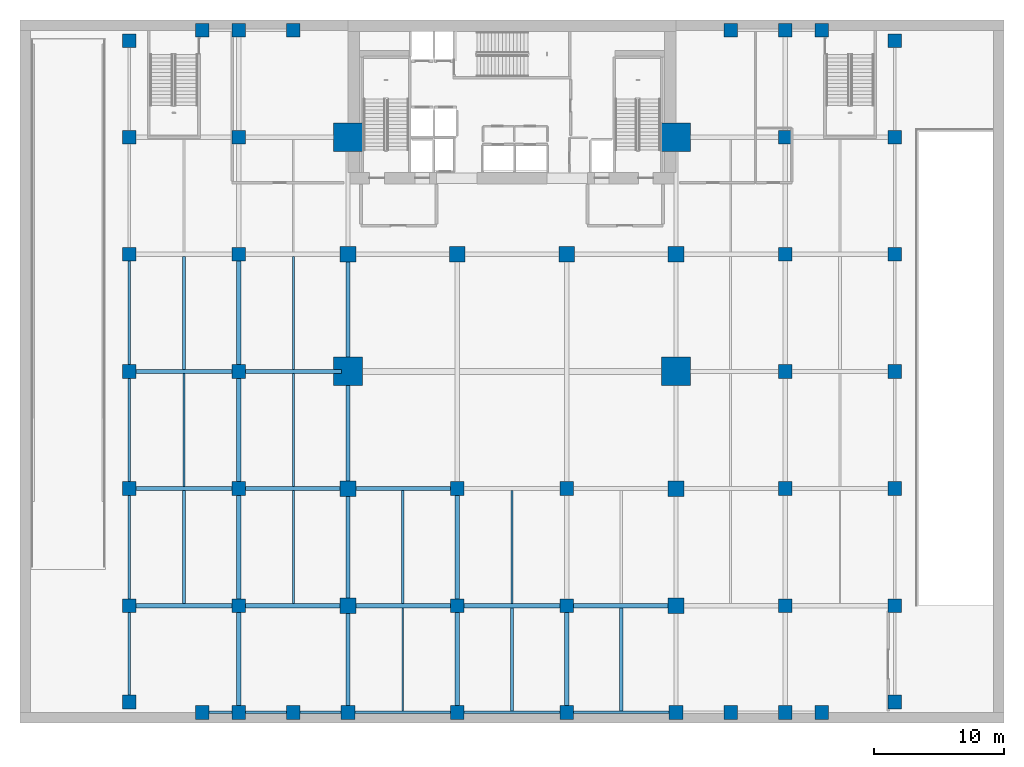
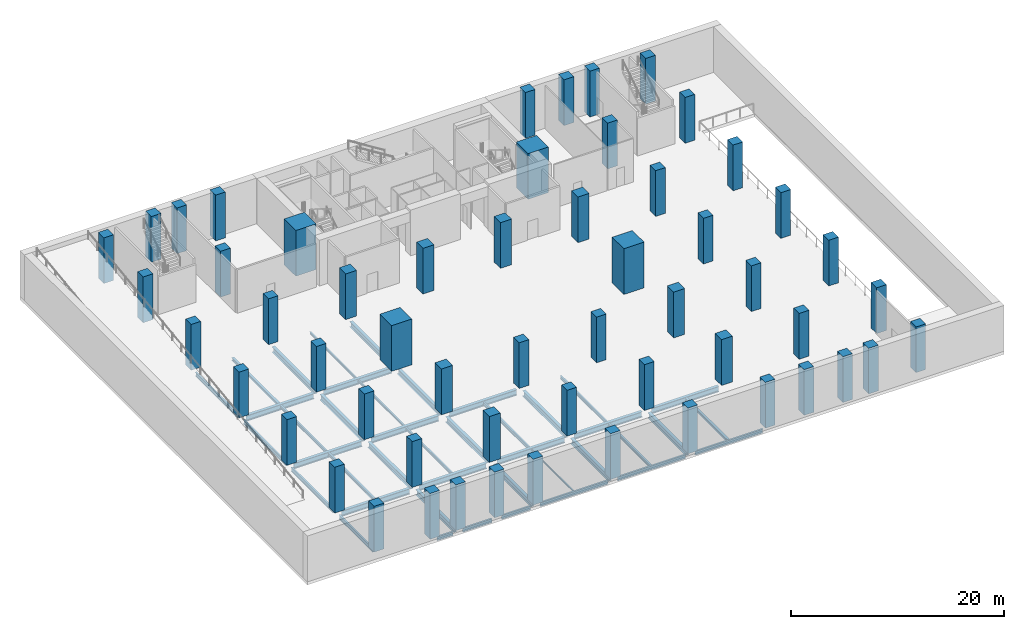
# One storey, part 1 of 10: 56 columns, 42 beams.
"""IFC4 building model written with IfcOpenShell, lengths in metres."""

from ifc_helpers import new_model, si_unit, direction, frame, origin, origin_2d, place, context, subcontext, project, spatial, rectangle, i_section, extrude, material, material_profile, profile_set, type_object, element, save


model = new_model("IFC4")

# Units and contexts
model_context = context("Model", 3, precision=1e-05, world=origin(), true_north=direction((0.0, 1.0)))
body_context = subcontext(model_context, "Body", "Model", "MODEL_VIEW")
ifc_project = project(units=[si_unit("LENGTHUNIT", "METRE"), si_unit("AREAUNIT", "SQUARE_METRE"), si_unit("VOLUMEUNIT", "CUBIC_METRE"), si_unit("PLANEANGLEUNIT", "RADIAN"), si_unit("MASSUNIT", "GRAM", prefix="KILO")], contexts=[model_context])

# Site, building, storey
site_placement = place(None, origin())
site = spatial("IfcSite", under=ifc_project, at=site_placement, CompositionType="ELEMENT")
building_placement = place(site_placement, origin())
building = spatial("IfcBuilding", under=site, at=building_placement, Name="Maruvema Waterfront Hotel and Observation Tower", CompositionType="ELEMENT")
storey_placement = place(building_placement, frame((0.0, 0.0, -5.25)))
storey = spatial("IfcBuildingStorey", under=building, at=storey_placement, Name="B01", CompositionType="ELEMENT", Elevation=-5.25)

# Columns
ifc_material_1 = material(Name="Concrete C80/95", Category="concrete")
ifc_material_profile_1 = material_profile(ifc_material_1, rectangle(XDim=2.199951171875, YDim=2.199951171875, at=origin_2d()), Name="MC2200x2200")
ifc_profile_set_1 = profile_set([ifc_material_profile_1], Name="Concrete C80/95")
column_type_1 = type_object("IfcColumnType", Name="Continuous Mega-Column MC2200x2200", PredefinedType="COLUMN", material=ifc_profile_set_1)
for number, where, z_axis, x_axis, name in (
    (1, (25.199951171875, 27.0, 0.0), (0.0, 0.0, 1.0), (1.0, 0.0, 0.0), "B01 Continuous Mega-Column MC-01"),
    (2, (50.39990234375, 27.0, 0.0), (0.0, 0.0, 1.0), (1.0, 0.0, 0.0), "B01 Continuous Mega-Column MC-02"),
    (3, (25.199951171875, 45.0, 0.0), (0.0, 0.0, 1.0), (1.0, 0.0, 0.0), "B01 Continuous Mega-Column MC-03"),
    (4, (50.39990234375, 45.0, 0.0), (0.0, 0.0, 1.0), (1.0, 0.0, 0.0), "B01 Continuous Mega-Column MC-04"),
):
    element("IfcColumn", number, at=place(storey_placement, frame(where, z_axis=z_axis, x_axis=x_axis)), inside=storey, type_object=column_type_1, Name=name, PredefinedType="COLUMN", context=body_context, shape_type="SweptSolid", body=[
        extrude(rectangle(XDim=2.199951171875, YDim=2.199951171875, at=origin_2d()), origin(), (0.0, 0.0, 1.0), 5.25),
    ])
ifc_material_2 = material(Name="Concrete C60/75", Category="concrete")
ifc_material_profile_2 = material_profile(ifc_material_2, rectangle(XDim=1.050048828125, YDim=1.050048828125, at=origin_2d()), Name="RC1050x1050")
ifc_profile_set_2 = profile_set([ifc_material_profile_2], Name="Concrete C60/75")
column_type_2 = type_object("IfcColumnType", Name="Reinforced Concrete Column RC1050x1050", PredefinedType="COLUMN", material=ifc_profile_set_2)
for number, where, z_axis, x_axis, name in (
    (5, (33.60009765625, 9.0, 0.0), (0.0, 0.0, 1.0), (1.0, 0.0, 0.0), "B01 Column C-5B"),
    (6, (42.0, 9.0, 0.0), (0.0, 0.0, 1.0), (1.0, 0.0, 0.0), "B01 Column C-6B"),
    (7, (33.60009765625, 18.0, 0.0), (0.0, 0.0, 1.0), (1.0, 0.0, 0.0), "B01 Column C-5C"),
    (8, (42.0, 18.0, 0.0), (0.0, 0.0, 1.0), (1.0, 0.0, 0.0), "B01 Column C-6C"),
    (9, (16.800048828125, 9.0, 0.0), (0.0, 0.0, 1.0), (1.0, 0.0, 0.0), "B01 Column C-3Y9"),
    (10, (58.800048828125, 9.0, 0.0), (0.0, 0.0, 1.0), (1.0, 0.0, 0.0), "B01 Column C-8Y9"),
    (11, (16.800048828125, 18.0, 0.0), (0.0, 0.0, 1.0), (1.0, 0.0, 0.0), "B01 Column C-3Y18"),
    (12, (58.800048828125, 18.0, 0.0), (0.0, 0.0, 1.0), (1.0, 0.0, 0.0), "B01 Column C-8Y18"),
    (13, (16.800048828125, 27.0, 0.0), (0.0, 0.0, 1.0), (1.0, 0.0, 0.0), "B01 Column C-3Y27"),
    (14, (58.800048828125, 27.0, 0.0), (0.0, 0.0, 1.0), (1.0, 0.0, 0.0), "B01 Column C-8Y27"),
    (15, (16.800048828125, 36.0, 0.0), (0.0, 0.0, 1.0), (1.0, 0.0, 0.0), "B01 Column C-3Y36"),
    (16, (58.800048828125, 36.0, 0.0), (0.0, 0.0, 1.0), (1.0, 0.0, 0.0), "B01 Column C-8Y36"),
    (17, (16.800048828125, 45.0, 0.0), (0.0, 0.0, 1.0), (1.0, 0.0, 0.0), "B01 Column C-3Y45"),
    (18, (58.800048828125, 45.0, 0.0), (0.0, 0.0, 1.0), (1.0, 0.0, 0.0), "B01 Column C-8Y45"),
    (19, (8.39990234375, 1.60009765625, 0.0), (0.0, 0.0, 1.0), (1.0, 0.0, 0.0), "B01 Column C-2A"),
    (20, (67.199951171875, 1.60009765625, 0.0), (0.0, 0.0, 1.0), (1.0, 0.0, 0.0), "B01 Column C-9A"),
    (21, (8.39990234375, 9.0, 0.0), (0.0, 0.0, 1.0), (1.0, 0.0, 0.0), "B01 Column C-2B"),
    (22, (67.199951171875, 9.0, 0.0), (0.0, 0.0, 1.0), (1.0, 0.0, 0.0), "B01 Column C-9B"),
    (23, (8.39990234375, 18.0, 0.0), (0.0, 0.0, 1.0), (1.0, 0.0, 0.0), "B01 Column C-2C"),
    (24, (67.199951171875, 18.0, 0.0), (0.0, 0.0, 1.0), (1.0, 0.0, 0.0), "B01 Column C-9C"),
    (25, (8.39990234375, 27.0, 0.0), (0.0, 0.0, 1.0), (1.0, 0.0, 0.0), "B01 Column C-2D"),
    (26, (67.199951171875, 27.0, 0.0), (0.0, 0.0, 1.0), (1.0, 0.0, 0.0), "B01 Column C-9D"),
    (27, (8.39990234375, 36.0, 0.0), (0.0, 0.0, 1.0), (1.0, 0.0, 0.0), "B01 Column C-2E"),
    (28, (67.199951171875, 36.0, 0.0), (0.0, 0.0, 1.0), (1.0, 0.0, 0.0), "B01 Column C-9E"),
    (29, (8.39990234375, 45.0, 0.0), (0.0, 0.0, 1.0), (1.0, 0.0, 0.0), "B01 Column C-2F"),
    (30, (67.199951171875, 45.0, 0.0), (0.0, 0.0, 1.0), (1.0, 0.0, 0.0), "B01 Column C-9F"),
    (31, (8.39990234375, 52.39990234375, 0.0), (0.0, 0.0, 1.0), (1.0, 0.0, 0.0), "B01 Column C-2G"),
    (32, (67.199951171875, 52.39990234375, 0.0), (0.0, 0.0, 1.0), (1.0, 0.0, 0.0), "B01 Column C-9G"),
    (33, (16.800048828125, 0.800048828125, 0.0), (0.0, 0.0, 1.0), (1.0, 0.0, 0.0), "B01 Column C-3A"),
    (34, (25.199951171875, 0.800048828125, 0.0), (0.0, 0.0, 1.0), (1.0, 0.0, 0.0), "B01 Column C-4A"),
    (35, (33.60009765625, 0.800048828125, 0.0), (0.0, 0.0, 1.0), (1.0, 0.0, 0.0), "B01 Column C-5A"),
    (36, (42.0, 0.800048828125, 0.0), (0.0, 0.0, 1.0), (1.0, 0.0, 0.0), "B01 Column C-6A"),
    (37, (50.39990234375, 0.800048828125, 0.0), (0.0, 0.0, 1.0), (1.0, 0.0, 0.0), "B01 Column C-7A"),
    (38, (58.800048828125, 0.800048828125, 0.0), (0.0, 0.0, 1.0), (1.0, 0.0, 0.0), "B01 Column C-8A"),
    (39, (16.800048828125, 53.199951171875, 0.0), (0.0, 0.0, 1.0), (1.0, 0.0, 0.0), "B01 Column C-3G"),
    (40, (58.800048828125, 53.199951171875, 0.0), (0.0, 0.0, 1.0), (1.0, 0.0, 0.0), "B01 Column C-8G"),
    (41, (14.0, 0.800048828125, 0.0), (0.0, 0.0, 1.0), (1.0, 0.0, 0.0), "B01 Column PL-S1"),
    (42, (14.0, 53.199951171875, 0.0), (0.0, 0.0, 1.0), (1.0, 0.0, 0.0), "B01 Column PL-N1"),
    (43, (21.0, 0.800048828125, 0.0), (0.0, 0.0, 1.0), (1.0, 0.0, 0.0), "B01 Column PL-S2"),
    (44, (21.0, 53.199951171875, 0.0), (0.0, 0.0, 1.0), (1.0, 0.0, 0.0), "B01 Column PL-N2"),
    (45, (54.60009765625, 0.800048828125, 0.0), (0.0, 0.0, 1.0), (1.0, 0.0, 0.0), "B01 Column PL-S3"),
    (46, (54.60009765625, 53.199951171875, 0.0), (0.0, 0.0, 1.0), (1.0, 0.0, 0.0), "B01 Column PL-N3"),
    (47, (61.60009765625, 0.800048828125, 0.0), (0.0, 0.0, 1.0), (1.0, 0.0, 0.0), "B01 Column PL-S4"),
    (48, (61.60009765625, 53.199951171875, 0.0), (0.0, 0.0, 1.0), (1.0, 0.0, 0.0), "B01 Column PL-N4"),
):
    element("IfcColumn", number, at=place(storey_placement, frame(where, z_axis=z_axis, x_axis=x_axis)), inside=storey, type_object=column_type_2, Name=name, PredefinedType="COLUMN", context=body_context, shape_type="SweptSolid", body=[
        extrude(rectangle(XDim=1.050048828125, YDim=1.050048828125, at=origin_2d()), origin(), (0.0, 0.0, 1.0), 5.25),
    ])
ifc_material_3 = material(Name="Concrete C60/75", Category="concrete")
ifc_material_profile_3 = material_profile(ifc_material_3, rectangle(XDim=1.199951171875, YDim=1.199951171875, at=origin_2d()), Name="RC1200x1200")
ifc_profile_set_3 = profile_set([ifc_material_profile_3], Name="Concrete C60/75")
column_type_3 = type_object("IfcColumnType", Name="Reinforced Concrete Column RC1200x1200", PredefinedType="COLUMN", material=ifc_profile_set_3)
for number, where, z_axis, x_axis, name in (
    (49, (25.199951171875, 36.0, 0.0), (0.0, 0.0, 1.0), (1.0, 0.0, 0.0), "B01 Column C-4E"),
    (50, (33.60009765625, 36.0, 0.0), (0.0, 0.0, 1.0), (1.0, 0.0, 0.0), "B01 Column C-5E"),
    (51, (42.0, 36.0, 0.0), (0.0, 0.0, 1.0), (1.0, 0.0, 0.0), "B01 Column C-6E"),
    (52, (50.39990234375, 36.0, 0.0), (0.0, 0.0, 1.0), (1.0, 0.0, 0.0), "B01 Column C-7E"),
    (53, (25.199951171875, 18.0, 0.0), (0.0, 0.0, 1.0), (1.0, 0.0, 0.0), "B01 Column C-4C"),
    (54, (50.39990234375, 18.0, 0.0), (0.0, 0.0, 1.0), (1.0, 0.0, 0.0), "B01 Column C-7C"),
    (55, (25.199951171875, 9.0, 0.0), (0.0, 0.0, 1.0), (1.0, 0.0, 0.0), "B01 Column C-4B"),
    (56, (50.39990234375, 9.0, 0.0), (0.0, 0.0, 1.0), (1.0, 0.0, 0.0), "B01 Column C-7B"),
):
    element("IfcColumn", number, at=place(storey_placement, frame(where, z_axis=z_axis, x_axis=x_axis)), inside=storey, type_object=column_type_3, Name=name, PredefinedType="COLUMN", context=body_context, shape_type="SweptSolid", body=[
        extrude(rectangle(XDim=1.199951171875, YDim=1.199951171875, at=origin_2d()), origin(), (0.0, 0.0, 1.0), 5.25),
    ])

# Beams
ifc_material_4 = material(Name="Steel ASTM A572 Grade 50", Category="steel")
ifc_material_profile_4 = material_profile(ifc_material_4, i_section(OverallWidth=0.18994140625, OverallDepth=0.45703125, WebThickness=0.009033203125, FlangeThickness=0.014404296875, FilletRadius=0.014892578125, at=origin_2d()), Name="W460x74.0")
ifc_profile_set_4 = profile_set([ifc_material_profile_4], Name="Steel ASTM A572 Grade 50")
beam_type_1 = type_object("IfcBeamType", Name="Perimeter Spandrel Beam W460x74.0", PredefinedType="SPANDREL", material=ifc_profile_set_4)
beam_1_placement = place(storey_placement, frame((14.52490234375, 0.800048828125, -0.57861328125), z_axis=(1.0, 0.0, 0.0), x_axis=(0.0, 1.0, 0.0)))
element("IfcBeam", 57, at=beam_1_placement, inside=storey, type_object=beam_type_1, Name="B01 Floor Girder EW-01", PredefinedType="SPANDREL", context=body_context, shape_type="SweptSolid", body=[
    extrude(i_section(OverallWidth=0.18994140625, OverallDepth=0.45703125, WebThickness=0.009033203125, FlangeThickness=0.014404296875, FilletRadius=0.014892578125, at=origin_2d()), origin(), (0.0, 0.0, 1.0), 1.75),
])
for number, where, z_axis, x_axis, name in (
    (58, (17.324951171875, 0.800048828125, -0.57861328125), (1.0, 0.0, 0.0), (0.0, 1.0, 0.0), "B01 Floor Girder EW-02"),
    (59, (21.52490234375, 0.800048828125, -0.57861328125), (1.0, 0.0, 0.0), (0.0, 1.0, 0.0), "B01 Floor Girder EW-03"),
):
    element("IfcBeam", number, at=place(storey_placement, frame(where, z_axis=z_axis, x_axis=x_axis)), inside=storey, type_object=beam_type_1, Name=name, PredefinedType="SPANDREL", context=body_context, shape_type="SweptSolid", body=[
        extrude(i_section(OverallWidth=0.18994140625, OverallDepth=0.45703125, WebThickness=0.009033203125, FlangeThickness=0.014404296875, FilletRadius=0.014892578125, at=origin_2d()), origin(), (0.0, 0.0, 1.0), 3.150146484375),
    ])
beam_2_placement = place(storey_placement, frame((25.72509765625, 0.800048828125, -0.57861328125), z_axis=(1.0, 0.0, 0.0), x_axis=(0.0, 1.0, 0.0)))
element("IfcBeam", 60, at=beam_2_placement, inside=storey, type_object=beam_type_1, Name="B01 Floor Girder EW-04", PredefinedType="SPANDREL", context=body_context, shape_type="SweptSolid", body=[
    extrude(i_section(OverallWidth=0.18994140625, OverallDepth=0.45703125, WebThickness=0.009033203125, FlangeThickness=0.014404296875, FilletRadius=0.014892578125, at=origin_2d()), origin(), (0.0, 0.0, 1.0), 7.349853515625),
])
for number, where, z_axis, x_axis, name in (
    (61, (34.125, 0.800048828125, -0.57861328125), (1.0, 0.0, 0.0), (0.0, 1.0, 0.0), "B01 Floor Girder EW-05"),
    (62, (42.52490234375, 0.800048828125, -0.57861328125), (1.0, 0.0, 0.0), (0.0, 1.0, 0.0), "B01 Floor Girder EW-06"),
):
    element("IfcBeam", number, at=place(storey_placement, frame(where, z_axis=z_axis, x_axis=x_axis)), inside=storey, type_object=beam_type_1, Name=name, PredefinedType="SPANDREL", context=body_context, shape_type="SweptSolid", body=[
        extrude(i_section(OverallWidth=0.18994140625, OverallDepth=0.45703125, WebThickness=0.009033203125, FlangeThickness=0.014404296875, FilletRadius=0.014892578125, at=origin_2d()), origin(), (0.0, 0.0, 1.0), 7.35009765625),
    ])
beam_3_placement = place(storey_placement, frame((8.39990234375, 2.125, -0.57861328125), z_axis=(0.0, 1.0, 0.0), x_axis=(-1.0, 0.0, 0.0)))
element("IfcBeam", 63, at=beam_3_placement, inside=storey, type_object=beam_type_1, Name="B01 Floor Girder NS-01", PredefinedType="SPANDREL", context=body_context, shape_type="SweptSolid", body=[
    extrude(i_section(OverallWidth=0.18994140625, OverallDepth=0.45703125, WebThickness=0.009033203125, FlangeThickness=0.014404296875, FilletRadius=0.014892578125, at=origin_2d()), origin(), (0.0, 0.0, 1.0), 6.35009765625),
])
for number, where, z_axis, x_axis, name in (
    (64, (8.39990234375, 9.52490234375, -0.57861328125), (0.0, 1.0, 0.0), (-1.0, 0.0, 0.0), "B01 Floor Girder NS-02"),
    (65, (8.39990234375, 18.52490234375, -0.57861328125), (0.0, 1.0, 0.0), (-1.0, 0.0, 0.0), "B01 Floor Girder NS-03"),
    (66, (8.39990234375, 27.52490234375, -0.57861328125), (0.0, 1.0, 0.0), (-1.0, 0.0, 0.0), "B01 Floor Girder NS-04"),
):
    element("IfcBeam", number, at=place(storey_placement, frame(where, z_axis=z_axis, x_axis=x_axis)), inside=storey, type_object=beam_type_1, Name=name, PredefinedType="SPANDREL", context=body_context, shape_type="SweptSolid", body=[
        extrude(i_section(OverallWidth=0.18994140625, OverallDepth=0.45703125, WebThickness=0.009033203125, FlangeThickness=0.014404296875, FilletRadius=0.014892578125, at=origin_2d()), origin(), (0.0, 0.0, 1.0), 7.9501953125),
    ])
ifc_material_5 = material(Name="Steel ASTM A572 Grade 50", Category="steel")
ifc_material_profile_5 = material_profile(ifc_material_5, i_section(OverallWidth=0.3291015625, OverallDepth=0.635009765625, WebThickness=0.017822265625, FlangeThickness=0.031005859375, FilletRadius=0.01806640625, at=origin_2d()), Name="W610x241.0")
ifc_profile_set_5 = profile_set([ifc_material_profile_5], Name="Steel ASTM A572 Grade 50")
beam_type_2 = type_object("IfcBeamType", Name="Primary Floor Girder W610x241.0", PredefinedType="BEAM", material=ifc_profile_set_5)
beam_4_placement = place(storey_placement, frame((8.925048828125, 9.0, -0.66748046875), z_axis=(1.0, 0.0, 0.0), x_axis=(0.0, 1.0, 0.0)))
element("IfcBeam", 67, at=beam_4_placement, inside=storey, type_object=beam_type_2, Name="B01 Floor Girder EW-10", PredefinedType="BEAM", context=body_context, shape_type="SweptSolid", body=[
    extrude(i_section(OverallWidth=0.3291015625, OverallDepth=0.635009765625, WebThickness=0.017822265625, FlangeThickness=0.031005859375, FilletRadius=0.01806640625, at=origin_2d()), origin(), (0.0, 0.0, 1.0), 7.349853515625),
])
beam_5_placement = place(storey_placement, frame((17.324951171875, 9.0, -0.66748046875), z_axis=(1.0, 0.0, 0.0), x_axis=(0.0, 1.0, 0.0)))
element("IfcBeam", 68, at=beam_5_placement, inside=storey, type_object=beam_type_2, Name="B01 Floor Girder EW-11", PredefinedType="BEAM", context=body_context, shape_type="SweptSolid", body=[
    extrude(i_section(OverallWidth=0.3291015625, OverallDepth=0.635009765625, WebThickness=0.017822265625, FlangeThickness=0.031005859375, FilletRadius=0.01806640625, at=origin_2d()), origin(), (0.0, 0.0, 1.0), 7.275146484375),
])
beam_6_placement = place(storey_placement, frame((25.800048828125, 9.0, -0.66748046875), z_axis=(1.0, 0.0, 0.0), x_axis=(0.0, 1.0, 0.0)))
element("IfcBeam", 69, at=beam_6_placement, inside=storey, type_object=beam_type_2, Name="B01 Floor Girder EW-12", PredefinedType="BEAM", context=body_context, shape_type="SweptSolid", body=[
    extrude(i_section(OverallWidth=0.3291015625, OverallDepth=0.635009765625, WebThickness=0.017822265625, FlangeThickness=0.031005859375, FilletRadius=0.01806640625, at=origin_2d()), origin(), (0.0, 0.0, 1.0), 7.27490234375),
])
beam_7_placement = place(storey_placement, frame((34.125, 9.0, -0.66748046875), z_axis=(1.0, 0.0, 0.0), x_axis=(0.0, 1.0, 0.0)))
element("IfcBeam", 70, at=beam_7_placement, inside=storey, type_object=beam_type_2, Name="B01 Floor Girder EW-13", PredefinedType="BEAM", context=body_context, shape_type="SweptSolid", body=[
    extrude(i_section(OverallWidth=0.3291015625, OverallDepth=0.635009765625, WebThickness=0.017822265625, FlangeThickness=0.031005859375, FilletRadius=0.01806640625, at=origin_2d()), origin(), (0.0, 0.0, 1.0), 7.35009765625),
])
beam_8_placement = place(storey_placement, frame((42.52490234375, 9.0, -0.66748046875), z_axis=(1.0, 0.0, 0.0), x_axis=(0.0, 1.0, 0.0)))
element("IfcBeam", 71, at=beam_8_placement, inside=storey, type_object=beam_type_2, Name="B01 Floor Girder EW-14", PredefinedType="BEAM", context=body_context, shape_type="SweptSolid", body=[
    extrude(i_section(OverallWidth=0.3291015625, OverallDepth=0.635009765625, WebThickness=0.017822265625, FlangeThickness=0.031005859375, FilletRadius=0.01806640625, at=origin_2d()), origin(), (0.0, 0.0, 1.0), 7.275146484375),
])
beam_9_placement = place(storey_placement, frame((8.925048828125, 18.0, -0.66748046875), z_axis=(1.0, 0.0, 0.0), x_axis=(0.0, 1.0, 0.0)))
element("IfcBeam", 72, at=beam_9_placement, inside=storey, type_object=beam_type_2, Name="B01 Floor Girder EW-17", PredefinedType="BEAM", context=body_context, shape_type="SweptSolid", body=[
    extrude(i_section(OverallWidth=0.3291015625, OverallDepth=0.635009765625, WebThickness=0.017822265625, FlangeThickness=0.031005859375, FilletRadius=0.01806640625, at=origin_2d()), origin(), (0.0, 0.0, 1.0), 7.349853515625),
])
beam_10_placement = place(storey_placement, frame((17.324951171875, 18.0, -0.66748046875), z_axis=(1.0, 0.0, 0.0), x_axis=(0.0, 1.0, 0.0)))
element("IfcBeam", 73, at=beam_10_placement, inside=storey, type_object=beam_type_2, Name="B01 Floor Girder EW-18", PredefinedType="BEAM", context=body_context, shape_type="SweptSolid", body=[
    extrude(i_section(OverallWidth=0.3291015625, OverallDepth=0.635009765625, WebThickness=0.017822265625, FlangeThickness=0.031005859375, FilletRadius=0.01806640625, at=origin_2d()), origin(), (0.0, 0.0, 1.0), 7.275146484375),
])
beam_11_placement = place(storey_placement, frame((25.800048828125, 18.0, -0.66748046875), z_axis=(1.0, 0.0, 0.0), x_axis=(0.0, 1.0, 0.0)))
element("IfcBeam", 74, at=beam_11_placement, inside=storey, type_object=beam_type_2, Name="B01 Floor Girder EW-19", PredefinedType="BEAM", context=body_context, shape_type="SweptSolid", body=[
    extrude(i_section(OverallWidth=0.3291015625, OverallDepth=0.635009765625, WebThickness=0.017822265625, FlangeThickness=0.031005859375, FilletRadius=0.01806640625, at=origin_2d()), origin(), (0.0, 0.0, 1.0), 7.27490234375),
])
beam_12_placement = place(storey_placement, frame((8.925048828125, 27.0, -0.66748046875), z_axis=(1.0, 0.0, 0.0), x_axis=(0.0, 1.0, 0.0)))
element("IfcBeam", 75, at=beam_12_placement, inside=storey, type_object=beam_type_2, Name="B01 Floor Girder EW-24", PredefinedType="BEAM", context=body_context, shape_type="SweptSolid", body=[
    extrude(i_section(OverallWidth=0.3291015625, OverallDepth=0.635009765625, WebThickness=0.017822265625, FlangeThickness=0.031005859375, FilletRadius=0.01806640625, at=origin_2d()), origin(), (0.0, 0.0, 1.0), 7.349853515625),
])
beam_13_placement = place(storey_placement, frame((17.324951171875, 27.0, -0.66748046875), z_axis=(1.0, 0.0, 0.0), x_axis=(0.0, 1.0, 0.0)))
element("IfcBeam", 76, at=beam_13_placement, inside=storey, type_object=beam_type_2, Name="B01 Floor Girder EW-25", PredefinedType="BEAM", context=body_context, shape_type="SweptSolid", body=[
    extrude(i_section(OverallWidth=0.3291015625, OverallDepth=0.635009765625, WebThickness=0.017822265625, FlangeThickness=0.031005859375, FilletRadius=0.01806640625, at=origin_2d()), origin(), (0.0, 0.0, 1.0), 7.375),
])
beam_14_placement = place(storey_placement, frame((16.800048828125, 1.324951171875, -0.66748046875), z_axis=(0.0, 1.0, 0.0), x_axis=(-1.0, 0.0, 0.0)))
element("IfcBeam", 77, at=beam_14_placement, inside=storey, type_object=beam_type_2, Name="B01 Floor Girder NS-07", PredefinedType="BEAM", context=body_context, shape_type="SweptSolid", body=[
    extrude(i_section(OverallWidth=0.3291015625, OverallDepth=0.635009765625, WebThickness=0.017822265625, FlangeThickness=0.031005859375, FilletRadius=0.01806640625, at=origin_2d()), origin(), (0.0, 0.0, 1.0), 7.150146484375),
])
for number, where, z_axis, x_axis, name in (
    (78, (16.800048828125, 9.52490234375, -0.66748046875), (0.0, 1.0, 0.0), (-1.0, 0.0, 0.0), "B01 Floor Girder NS-08"),
    (79, (16.800048828125, 18.52490234375, -0.66748046875), (0.0, 1.0, 0.0), (-1.0, 0.0, 0.0), "B01 Floor Girder NS-09"),
    (80, (16.800048828125, 27.52490234375, -0.66748046875), (0.0, 1.0, 0.0), (-1.0, 0.0, 0.0), "B01 Floor Girder NS-10"),
):
    element("IfcBeam", number, at=place(storey_placement, frame(where, z_axis=z_axis, x_axis=x_axis)), inside=storey, type_object=beam_type_2, Name=name, PredefinedType="BEAM", context=body_context, shape_type="SweptSolid", body=[
        extrude(i_section(OverallWidth=0.3291015625, OverallDepth=0.635009765625, WebThickness=0.017822265625, FlangeThickness=0.031005859375, FilletRadius=0.01806640625, at=origin_2d()), origin(), (0.0, 0.0, 1.0), 7.9501953125),
    ])
beam_15_placement = place(storey_placement, frame((25.199951171875, 1.324951171875, -0.66748046875), z_axis=(0.0, 1.0, 0.0), x_axis=(-1.0, 0.0, 0.0)))
element("IfcBeam", 81, at=beam_15_placement, inside=storey, type_object=beam_type_2, Name="B01 Floor Girder NS-13", PredefinedType="BEAM", context=body_context, shape_type="SweptSolid", body=[
    extrude(i_section(OverallWidth=0.3291015625, OverallDepth=0.635009765625, WebThickness=0.017822265625, FlangeThickness=0.031005859375, FilletRadius=0.01806640625, at=origin_2d()), origin(), (0.0, 0.0, 1.0), 7.074951171875),
])
beam_16_placement = place(storey_placement, frame((25.199951171875, 9.60009765625, -0.66748046875), z_axis=(0.0, 1.0, 0.0), x_axis=(-1.0, 0.0, 0.0)))
element("IfcBeam", 82, at=beam_16_placement, inside=storey, type_object=beam_type_2, Name="B01 Floor Girder NS-14", PredefinedType="BEAM", context=body_context, shape_type="SweptSolid", body=[
    extrude(i_section(OverallWidth=0.3291015625, OverallDepth=0.635009765625, WebThickness=0.017822265625, FlangeThickness=0.031005859375, FilletRadius=0.01806640625, at=origin_2d()), origin(), (0.0, 0.0, 1.0), 7.7998046875),
])
for number, where, z_axis, x_axis, name in (
    (83, (25.199951171875, 18.60009765625, -0.66748046875), (0.0, 1.0, 0.0), (-1.0, 0.0, 0.0), "B01 Floor Girder NS-15"),
    (84, (25.199951171875, 27.5, -0.66748046875), (0.0, 1.0, 0.0), (-1.0, 0.0, 0.0), "B01 Floor Girder NS-16"),
):
    element("IfcBeam", number, at=place(storey_placement, frame(where, z_axis=z_axis, x_axis=x_axis)), inside=storey, type_object=beam_type_2, Name=name, PredefinedType="BEAM", context=body_context, shape_type="SweptSolid", body=[
        extrude(i_section(OverallWidth=0.3291015625, OverallDepth=0.635009765625, WebThickness=0.017822265625, FlangeThickness=0.031005859375, FilletRadius=0.01806640625, at=origin_2d()), origin(), (0.0, 0.0, 1.0), 7.89990234375),
    ])
beam_17_placement = place(storey_placement, frame((33.60009765625, 1.324951171875, -0.66748046875), z_axis=(0.0, 1.0, 0.0), x_axis=(-1.0, 0.0, 0.0)))
element("IfcBeam", 85, at=beam_17_placement, inside=storey, type_object=beam_type_2, Name="B01 Floor Girder NS-18", PredefinedType="BEAM", context=body_context, shape_type="SweptSolid", body=[
    extrude(i_section(OverallWidth=0.3291015625, OverallDepth=0.635009765625, WebThickness=0.017822265625, FlangeThickness=0.031005859375, FilletRadius=0.01806640625, at=origin_2d()), origin(), (0.0, 0.0, 1.0), 7.150146484375),
])
beam_18_placement = place(storey_placement, frame((33.60009765625, 9.52490234375, -0.66748046875), z_axis=(0.0, 1.0, 0.0), x_axis=(-1.0, 0.0, 0.0)))
element("IfcBeam", 86, at=beam_18_placement, inside=storey, type_object=beam_type_2, Name="B01 Floor Girder NS-19", PredefinedType="BEAM", context=body_context, shape_type="SweptSolid", body=[
    extrude(i_section(OverallWidth=0.3291015625, OverallDepth=0.635009765625, WebThickness=0.017822265625, FlangeThickness=0.031005859375, FilletRadius=0.01806640625, at=origin_2d()), origin(), (0.0, 0.0, 1.0), 7.9501953125),
])
beam_19_placement = place(storey_placement, frame((42.0, 1.324951171875, -0.66748046875), z_axis=(0.0, 1.0, 0.0), x_axis=(-1.0, 0.0, 0.0)))
element("IfcBeam", 87, at=beam_19_placement, inside=storey, type_object=beam_type_2, Name="B01 Floor Girder NS-21", PredefinedType="BEAM", context=body_context, shape_type="SweptSolid", body=[
    extrude(i_section(OverallWidth=0.3291015625, OverallDepth=0.635009765625, WebThickness=0.017822265625, FlangeThickness=0.031005859375, FilletRadius=0.01806640625, at=origin_2d()), origin(), (0.0, 0.0, 1.0), 7.150146484375),
])
ifc_material_6 = material(Name="Steel ASTM A572 Grade 50", Category="steel")
ifc_material_profile_6 = material_profile(ifc_material_6, i_section(OverallWidth=0.10009765625, OverallDepth=0.153076171875, WebThickness=0.005859375, FlangeThickness=0.007080078125, FilletRadius=0.008056640625, at=origin_2d()), Name="W150x18.0")
ifc_profile_set_6 = profile_set([ifc_material_profile_6], Name="Steel ASTM A572 Grade 50")
beam_type_3 = type_object("IfcBeamType", Name="Secondary Floor Joist W150x18.0", PredefinedType="JOIST", material=ifc_profile_set_6)
beam_20_placement = place(storey_placement, frame((29.39990234375, 0.89501953125, -0.426513671875), z_axis=(0.0, 1.0, 0.0), x_axis=(-1.0, 0.0, 0.0)))
element("IfcBeam", 88, at=beam_20_placement, inside=storey, type_object=beam_type_3, Name="B01 Secondary Floor Joist JS-09", PredefinedType="JOIST", context=body_context, shape_type="SweptSolid", body=[
    extrude(i_section(OverallWidth=0.10009765625, OverallDepth=0.153076171875, WebThickness=0.005859375, FlangeThickness=0.007080078125, FilletRadius=0.008056640625, at=origin_2d()), origin(), (0.0, 0.0, 1.0), 7.9404296875),
])
ifc_material_7 = material(Name="Steel ASTM A572 Grade 50", Category="steel")
ifc_material_profile_7 = material_profile(ifc_material_7, i_section(OverallWidth=0.14599609375, OverallDepth=0.258056640625, WebThickness=0.006103515625, FlangeThickness=0.009033203125, FilletRadius=0.012939453125, at=origin_2d()), Name="W250x32.7")
ifc_profile_set_7 = profile_set([ifc_material_profile_7], Name="Steel ASTM A572 Grade 50")
beam_type_4 = type_object("IfcBeamType", Name="Secondary Floor Joist W250x32.7", PredefinedType="JOIST", material=ifc_profile_set_7)
beam_21_placement = place(storey_placement, frame((21.0, 27.16455078125, -0.47900390625), z_axis=(0.0, 1.0, 0.0), x_axis=(-1.0, 0.0, 0.0)))
element("IfcBeam", 89, at=beam_21_placement, inside=storey, type_object=beam_type_4, Name="B01 Secondary Floor Joist JS-07", PredefinedType="JOIST", context=body_context, shape_type="SweptSolid", body=[
    extrude(i_section(OverallWidth=0.14599609375, OverallDepth=0.258056640625, WebThickness=0.006103515625, FlangeThickness=0.009033203125, FilletRadius=0.012939453125, at=origin_2d()), origin(), (0.0, 0.0, 1.0), 8.6708984375),
])
ifc_material_8 = material(Name="Steel ASTM A572 Grade 50", Category="steel")
ifc_material_profile_8 = material_profile(ifc_material_8, i_section(OverallWidth=0.14794921875, OverallDepth=0.26611328125, WebThickness=0.007568359375, FlangeThickness=0.012939453125, FilletRadius=0.012939453125, at=origin_2d()), Name="W250x44.8")
ifc_profile_set_8 = profile_set([ifc_material_profile_8], Name="Steel ASTM A572 Grade 50")
beam_type_5 = type_object("IfcBeamType", Name="Secondary Floor Joist W250x44.8", PredefinedType="JOIST", material=ifc_profile_set_8)
beam_22_placement = place(storey_placement, frame((21.0, 18.16455078125, -0.48291015625), z_axis=(0.0, 1.0, 0.0), x_axis=(-1.0, 0.0, 0.0)))
element("IfcBeam", 90, at=beam_22_placement, inside=storey, type_object=beam_type_5, Name="B01 Secondary Floor Joist JS-06", PredefinedType="JOIST", context=body_context, shape_type="SweptSolid", body=[
    extrude(i_section(OverallWidth=0.14794921875, OverallDepth=0.26611328125, WebThickness=0.007568359375, FlangeThickness=0.012939453125, FilletRadius=0.012939453125, at=origin_2d()), origin(), (0.0, 0.0, 1.0), 8.6708984375),
])
ifc_material_9 = material(Name="Steel ASTM A572 Grade 50", Category="steel")
ifc_material_profile_9 = material_profile(ifc_material_9, i_section(OverallWidth=0.1650390625, OverallDepth=0.31005859375, WebThickness=0.005859375, FlangeThickness=0.009765625, FilletRadius=0.012939453125, at=origin_2d()), Name="W310x38.7")
ifc_profile_set_9 = profile_set([ifc_material_profile_9], Name="Steel ASTM A572 Grade 50")
beam_type_6 = type_object("IfcBeamType", Name="Secondary Floor Joist W310x38.7", PredefinedType="JOIST", material=ifc_profile_set_9)
beam_23_placement = place(storey_placement, frame((21.0, 9.16455078125, -0.5048828125), z_axis=(0.0, 1.0, 0.0), x_axis=(-1.0, 0.0, 0.0)))
element("IfcBeam", 91, at=beam_23_placement, inside=storey, type_object=beam_type_6, Name="B01 Secondary Floor Joist JS-05", PredefinedType="JOIST", context=body_context, shape_type="SweptSolid", body=[
    extrude(i_section(OverallWidth=0.1650390625, OverallDepth=0.31005859375, WebThickness=0.005859375, FlangeThickness=0.009765625, FilletRadius=0.012939453125, at=origin_2d()), origin(), (0.0, 0.0, 1.0), 8.6708984375),
])
ifc_material_10 = material(Name="Steel ASTM A572 Grade 50", Category="steel")
ifc_material_profile_10 = material_profile(ifc_material_10, i_section(OverallWidth=0.25390625, OverallDepth=0.305908203125, WebThickness=0.0087890625, FlangeThickness=0.0146484375, FilletRadius=0.014892578125, at=origin_2d()), Name="W310x79.0")
ifc_profile_set_10 = profile_set([ifc_material_profile_10], Name="Steel ASTM A572 Grade 50")
beam_type_7 = type_object("IfcBeamType", Name="Secondary Floor Joist W310x79.0", PredefinedType="JOIST", material=ifc_profile_set_10)
beam_24_placement = place(storey_placement, frame((12.60009765625, 27.16455078125, -0.5029296875), z_axis=(0.0, 1.0, 0.0), x_axis=(-1.0, 0.0, 0.0)))
element("IfcBeam", 92, at=beam_24_placement, inside=storey, type_object=beam_type_7, Name="B01 Secondary Floor Joist JS-03", PredefinedType="JOIST", context=body_context, shape_type="SweptSolid", body=[
    extrude(i_section(OverallWidth=0.25390625, OverallDepth=0.305908203125, WebThickness=0.0087890625, FlangeThickness=0.0146484375, FilletRadius=0.014892578125, at=origin_2d()), origin(), (0.0, 0.0, 1.0), 8.6708984375),
])
beam_25_placement = place(storey_placement, frame((46.199951171875, 0.89501953125, -0.5029296875), z_axis=(0.0, 1.0, 0.0), x_axis=(-1.0, 0.0, 0.0)))
element("IfcBeam", 93, at=beam_25_placement, inside=storey, type_object=beam_type_7, Name="B01 Secondary Floor Joist JS-13", PredefinedType="JOIST", context=body_context, shape_type="SweptSolid", body=[
    extrude(i_section(OverallWidth=0.25390625, OverallDepth=0.305908203125, WebThickness=0.0087890625, FlangeThickness=0.0146484375, FilletRadius=0.014892578125, at=origin_2d()), origin(), (0.0, 0.0, 1.0), 7.9404296875),
])
ifc_material_11 = material(Name="Steel ASTM A572 Grade 50", Category="steel")
ifc_material_profile_11 = material_profile(ifc_material_11, i_section(OverallWidth=0.1708984375, OverallDepth=0.35498046875, WebThickness=0.007080078125, FlangeThickness=0.01171875, FilletRadius=0.014892578125, at=origin_2d()), Name="W360x51.0")
ifc_profile_set_11 = profile_set([ifc_material_profile_11], Name="Steel ASTM A572 Grade 50")
beam_type_8 = type_object("IfcBeamType", Name="Secondary Floor Joist W360x51.0", PredefinedType="JOIST", material=ifc_profile_set_11)
for number, where, z_axis, x_axis, name in (
    (94, (12.60009765625, 18.16455078125, -0.527587890625), (0.0, 1.0, 0.0), (-1.0, 0.0, 0.0), "B01 Secondary Floor Joist JS-02"),
    (95, (37.800048828125, 9.16455078125, -0.527587890625), (0.0, 1.0, 0.0), (-1.0, 0.0, 0.0), "B01 Secondary Floor Joist JS-12"),
):
    element("IfcBeam", number, at=place(storey_placement, frame(where, z_axis=z_axis, x_axis=x_axis)), inside=storey, type_object=beam_type_8, Name=name, PredefinedType="JOIST", context=body_context, shape_type="SweptSolid", body=[
        extrude(i_section(OverallWidth=0.1708984375, OverallDepth=0.35498046875, WebThickness=0.007080078125, FlangeThickness=0.01171875, FilletRadius=0.014892578125, at=origin_2d()), origin(), (0.0, 0.0, 1.0), 8.6708984375),
    ])
ifc_material_12 = material(Name="Steel ASTM A572 Grade 50", Category="steel")
ifc_material_profile_12 = material_profile(ifc_material_12, i_section(OverallWidth=0.202880859375, OverallDepth=0.346923828125, WebThickness=0.0078125, FlangeThickness=0.013427734375, FilletRadius=0.014892578125, at=origin_2d()), Name="W360x64.0")
ifc_profile_set_12 = profile_set([ifc_material_profile_12], Name="Steel ASTM A572 Grade 50")
beam_type_9 = type_object("IfcBeamType", Name="Secondary Floor Joist W360x64.0", PredefinedType="JOIST", material=ifc_profile_set_12)
beam_26_placement = place(storey_placement, frame((12.60009765625, 9.16455078125, -0.5234375), z_axis=(0.0, 1.0, 0.0), x_axis=(-1.0, 0.0, 0.0)))
element("IfcBeam", 96, at=beam_26_placement, inside=storey, type_object=beam_type_9, Name="B01 Secondary Floor Joist JS-01", PredefinedType="JOIST", context=body_context, shape_type="SweptSolid", body=[
    extrude(i_section(OverallWidth=0.202880859375, OverallDepth=0.346923828125, WebThickness=0.0078125, FlangeThickness=0.013427734375, FilletRadius=0.014892578125, at=origin_2d()), origin(), (0.0, 0.0, 1.0), 8.6708984375),
])
beam_27_placement = place(storey_placement, frame((37.800048828125, 0.89501953125, -0.5234375), z_axis=(0.0, 1.0, 0.0), x_axis=(-1.0, 0.0, 0.0)))
element("IfcBeam", 97, at=beam_27_placement, inside=storey, type_object=beam_type_9, Name="B01 Secondary Floor Joist JS-11", PredefinedType="JOIST", context=body_context, shape_type="SweptSolid", body=[
    extrude(i_section(OverallWidth=0.202880859375, OverallDepth=0.346923828125, WebThickness=0.0078125, FlangeThickness=0.013427734375, FilletRadius=0.014892578125, at=origin_2d()), origin(), (0.0, 0.0, 1.0), 7.9404296875),
])
ifc_material_13 = material(Name="Steel ASTM A572 Grade 50", Category="steel")
ifc_material_profile_13 = material_profile(ifc_material_13, i_section(OverallWidth=0.177001953125, OverallDepth=0.403076171875, WebThickness=0.007568359375, FlangeThickness=0.010986328125, FilletRadius=0.014892578125, at=origin_2d()), Name="W410x53.0")
ifc_profile_set_13 = profile_set([ifc_material_profile_13], Name="Steel ASTM A572 Grade 50")
beam_type_10 = type_object("IfcBeamType", Name="Secondary Floor Joist W410x53.0", PredefinedType="JOIST", material=ifc_profile_set_13)
beam_28_placement = place(storey_placement, frame((29.39990234375, 9.16455078125, -0.551513671875), z_axis=(0.0, 1.0, 0.0), x_axis=(-1.0, 0.0, 0.0)))
element("IfcBeam", 98, at=beam_28_placement, inside=storey, type_object=beam_type_10, Name="B01 Secondary Floor Joist JS-10", PredefinedType="JOIST", context=body_context, shape_type="SweptSolid", body=[
    extrude(i_section(OverallWidth=0.177001953125, OverallDepth=0.403076171875, WebThickness=0.007568359375, FlangeThickness=0.010986328125, FilletRadius=0.014892578125, at=origin_2d()), origin(), (0.0, 0.0, 1.0), 8.6708984375),
])

save(model, "model.ifc")
